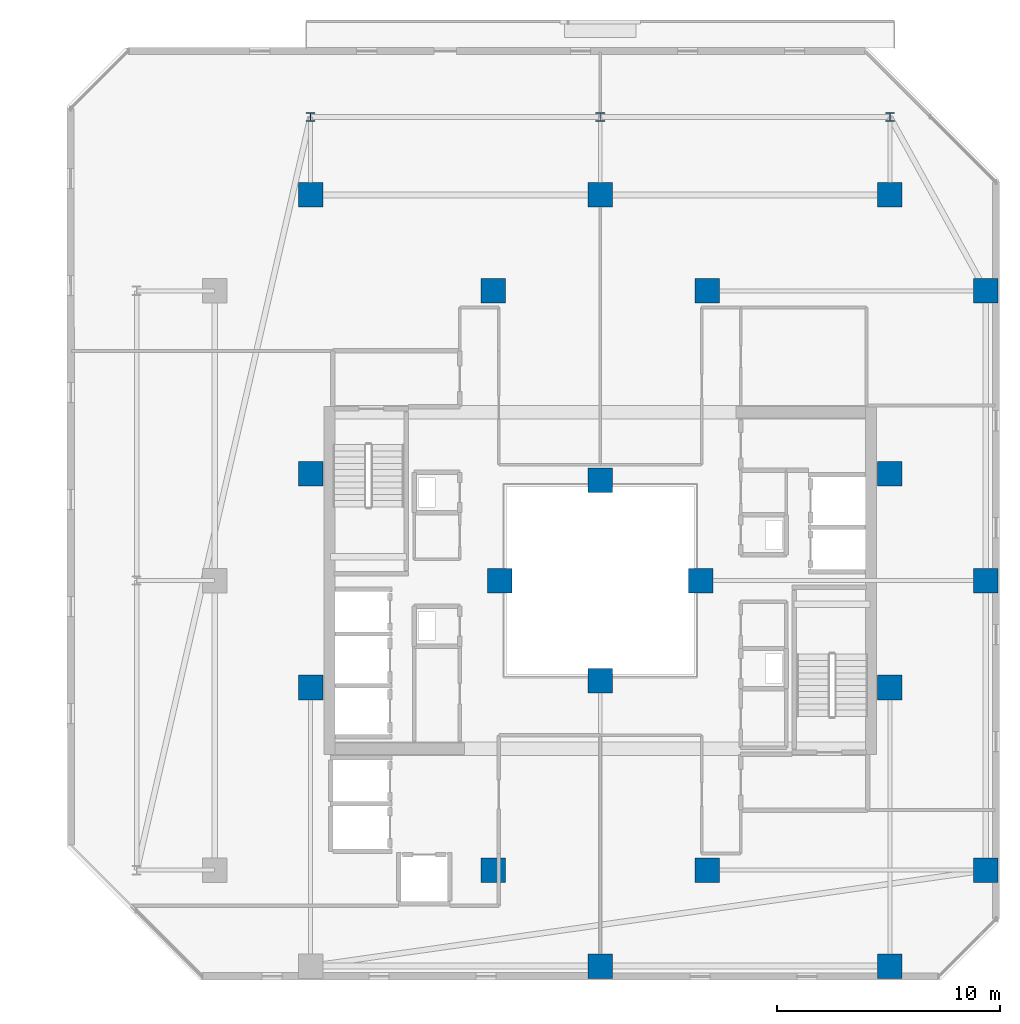
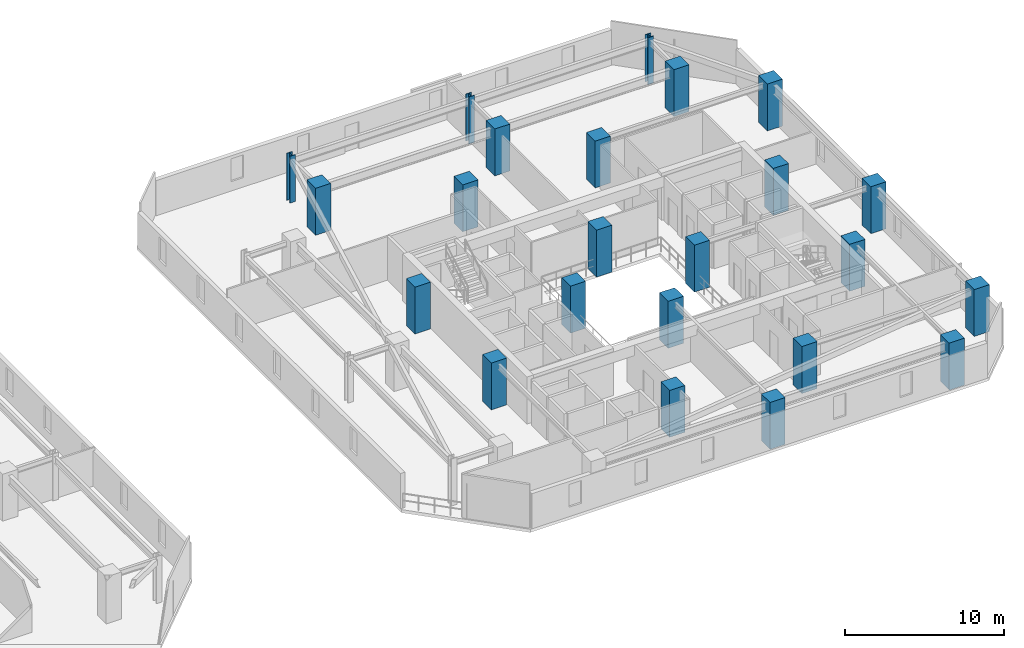
# One storey, part 2 of 32: 23 columns.
"""IFC4 building model written with IfcOpenShell, lengths in metres."""

from ifc_helpers import new_model, si_unit, direction, frame, origin, origin_2d, place, context, subcontext, project, spatial, rectangle, i_section, extrude, material, material_profile, profile_set, type_object, element, save


model = new_model("IFC4")

# Units and contexts
model_context = context("Model", 3, precision=1e-05, world=origin(), true_north=direction((0.0, 1.0)))
body_context = subcontext(model_context, "Body", "Model", "MODEL_VIEW")
ifc_project = project(units=[si_unit("LENGTHUNIT", "METRE"), si_unit("AREAUNIT", "SQUARE_METRE"), si_unit("VOLUMEUNIT", "CUBIC_METRE"), si_unit("PLANEANGLEUNIT", "RADIAN"), si_unit("MASSUNIT", "GRAM", prefix="KILO")], contexts=[model_context])

# Site, building, storey
site_placement = place(None, origin())
site = spatial("IfcSite", under=ifc_project, at=site_placement, CompositionType="ELEMENT")
building_placement = place(site_placement, origin())
building = spatial("IfcBuilding", under=site, at=building_placement, Name="Thornwick Lancets Civic Towers", CompositionType="ELEMENT")
storey_placement = place(building_placement, frame((0.0, 0.0, 178.5)))
storey = spatial("IfcBuildingStorey", under=building, at=storey_placement, Name="L47", CompositionType="ELEMENT", Elevation=178.5)

# Columns
ifc_material_1 = material(Name="Concrete C50/60", Category="concrete")
ifc_material_profile_1 = material_profile(ifc_material_1, rectangle(XDim=1.10009765625, YDim=1.10009765625, at=origin_2d()), Name="RC 1100x1100")
ifc_profile_set_1 = profile_set([ifc_material_profile_1], Name="Concrete C50/60")
column_type_1 = type_object("IfcColumnType", Name="COL_RC_1100", PredefinedType="COLUMN", material=ifc_profile_set_1)
for number, where, z_axis, x_axis, name in (
    (1, (105.800048828125, 14.0, 0.0), (0.0, 0.0, 1.0), (1.0, 0.0, 0.0), "L47 Spine Mega-Column B01"),
    (2, (105.800048828125, 27.0, 0.0), (0.0, 0.0, 1.0), (1.0, 0.0, 0.0), "L47 Spine Mega-Column B02"),
    (3, (105.800048828125, 40.0, 0.0), (0.0, 0.0, 1.0), (1.0, 0.0, 0.0), "L47 Spine Mega-Column B03"),
    (4, (101.5, 44.300048828125, 0.0), (0.0, 0.0, 1.0), (1.0, 0.0, 0.0), "L47 Spine Mega-Column B04"),
    (5, (88.5, 44.300048828125, 0.0), (0.0, 0.0, 1.0), (1.0, 0.0, 0.0), "L47 Spine Mega-Column B05"),
    (6, (75.5, 44.300048828125, 0.0), (0.0, 0.0, 1.0), (1.0, 0.0, 0.0), "L47 Spine Mega-Column B06"),
    (7, (101.5, 9.699951171875, 0.0), (0.0, 0.0, 1.0), (1.0, 0.0, 0.0), "L47 Spine Mega-Column B10"),
    (8, (88.5, 9.699951171875, 0.0), (0.0, 0.0, 1.0), (1.0, 0.0, 0.0), "L47 Spine Mega-Column B11"),
    (9, (93.300048828125, 14.0, 0.0), (0.0, 0.0, 1.0), (1.0, 0.0, 0.0), "L47 Spine Mega-Column B13"),
    (10, (93.300048828125, 40.0, 0.0), (0.0, 0.0, 1.0), (1.0, 0.0, 0.0), "L47 Spine Mega-Column B14"),
    (11, (83.699951171875, 14.0, 0.0), (0.0, 0.0, 1.0), (1.0, 0.0, 0.0), "L47 Spine Mega-Column B15"),
    (12, (83.699951171875, 40.0, 0.0), (0.0, 0.0, 1.0), (1.0, 0.0, 0.0), "L47 Spine Mega-Column B16"),
    (13, (101.5, 22.199951171875, 0.0), (0.0, 0.0, 1.0), (1.0, 0.0, 0.0), "L47 Spine Mega-Column B17"),
    (14, (101.5, 31.800048828125, 0.0), (0.0, 0.0, 1.0), (1.0, 0.0, 0.0), "L47 Spine Mega-Column B18"),
    (15, (75.5, 22.199951171875, 0.0), (0.0, 0.0, 1.0), (1.0, 0.0, 0.0), "L47 Spine Mega-Column B19"),
    (16, (75.5, 31.800048828125, 0.0), (0.0, 0.0, 1.0), (1.0, 0.0, 0.0), "L47 Spine Mega-Column B20"),
    (17, (93.0, 27.0, 0.0), (0.0, 0.0, 1.0), (1.0, 0.0, 0.0), "L47 Spine Mega-Column B21"),
    (18, (84.0, 27.0, 0.0), (0.0, 0.0, 1.0), (1.0, 0.0, 0.0), "L47 Spine Mega-Column B22"),
    (19, (88.5, 22.5, 0.0), (0.0, 0.0, 1.0), (1.0, 0.0, 0.0), "L47 Spine Mega-Column B23"),
    (20, (88.5, 31.5, 0.0), (0.0, 0.0, 1.0), (1.0, 0.0, 0.0), "L47 Spine Mega-Column B24"),
):
    element("IfcColumn", number, at=place(storey_placement, frame(where, z_axis=z_axis, x_axis=x_axis)), inside=storey, type_object=column_type_1, Name=name, PredefinedType="COLUMN", context=body_context, shape_type="SweptSolid", body=[
        extrude(rectangle(XDim=1.10009765625, YDim=1.10009765625, at=origin_2d()), origin(), (0.0, 0.0, 1.0), 3.60009765625),
    ])
ifc_material_2 = material(Name="Steel S460M", Category="steel")
ifc_material_profile_2 = material_profile(ifc_material_2, i_section(OverallWidth=0.406982421875, OverallDepth=0.4189453125, WebThickness=0.030517578125, FlangeThickness=0.04931640625, FilletRadius=0.01513671875, at=origin_2d()), Name="UKC 356x406x393")
ifc_profile_set_2 = profile_set([ifc_material_profile_2], Name="Steel S460M")
column_type_2 = type_object("IfcColumnType", Name="COL_UKC_393", PredefinedType="COLUMN", material=ifc_profile_set_2)
for number, where, z_axis, x_axis, name in (
    (21, (101.5, 47.800048828125, 0.0), (0.0, 0.0, 1.0), (1.0, 0.0, 0.0), "L47 Block Perimeter Column B04"),
    (22, (88.5, 47.800048828125, 0.0), (0.0, 0.0, 1.0), (1.0, 0.0, 0.0), "L47 Block Perimeter Column B05"),
    (23, (75.5, 47.800048828125, 0.0), (0.0, 0.0, 1.0), (1.0, 0.0, 0.0), "L47 Block Perimeter Column B06"),
):
    element("IfcColumn", number, at=place(storey_placement, frame(where, z_axis=z_axis, x_axis=x_axis)), inside=storey, type_object=column_type_2, Name=name, PredefinedType="COLUMN", context=body_context, shape_type="SweptSolid", body=[
        extrude(i_section(OverallWidth=0.406982421875, OverallDepth=0.4189453125, WebThickness=0.030517578125, FlangeThickness=0.04931640625, FilletRadius=0.01513671875, at=origin_2d()), origin(), (0.0, 0.0, 1.0), 3.60009765625),
    ])

save(model, "model.ifc")
